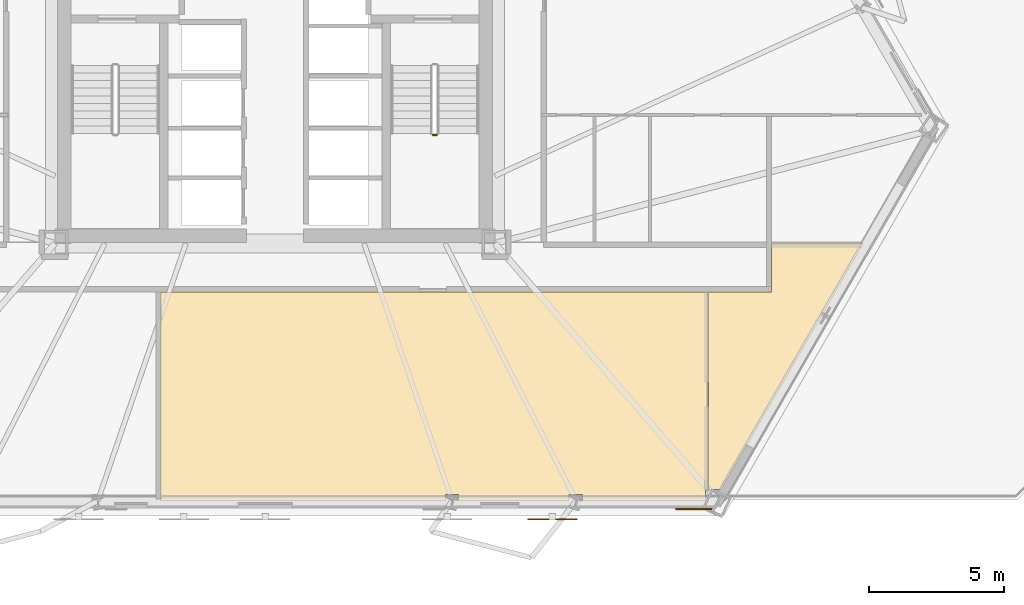
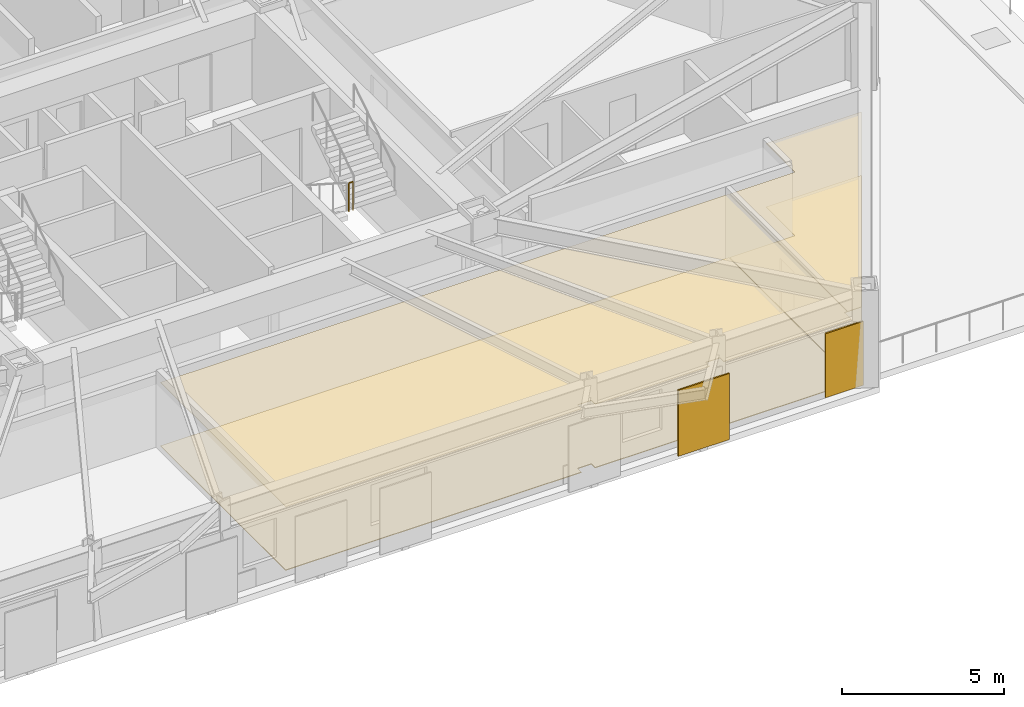
# One storey, part 11 of 14: 5 coverings, 1 railing, 1 shading device.
"""IFC4 building model written with IfcOpenShell, lengths in metres."""

from ifc_helpers import new_model, si_unit, direction, frame, origin, origin_2d, place, context, subcontext, project, spatial, polyline, rectangle, circle, outline, extrude, material, layer, layer_set, type_object, element, save


model = new_model("IFC4")

# Units and contexts
model_context = context("Model", 3, precision=1e-05, world=origin(), true_north=direction((0.0, 1.0)))
body_context = subcontext(model_context, "Body", "Model", "MODEL_VIEW")
ifc_project = project(units=[si_unit("LENGTHUNIT", "METRE"), si_unit("AREAUNIT", "SQUARE_METRE"), si_unit("VOLUMEUNIT", "CUBIC_METRE"), si_unit("PLANEANGLEUNIT", "RADIAN"), si_unit("MASSUNIT", "GRAM", prefix="KILO")], contexts=[model_context])

# Site, building, storey
site_placement = place(None, origin())
site = spatial("IfcSite", under=ifc_project, at=site_placement, CompositionType="ELEMENT")
building_placement = place(site_placement, origin())
building = spatial("IfcBuilding", under=site, at=building_placement, Name="Oramaril Tower", CompositionType="ELEMENT")
storey_placement = place(building_placement, frame((0.0, 0.0, 27.300048828125)))
storey = spatial("IfcBuildingStorey", under=building, at=storey_placement, Name="L06", CompositionType="ELEMENT", Elevation=27.300048828125)

# Coverings
ifc_material_1 = material(Name="Mineral Fibre Acoustic Ceiling")
ifc_layer_1 = layer(ifc_material_1, 0.02001953125)
ifc_layer_set_1 = layer_set([ifc_layer_1], Name="CVT-CEIL")
covering_type_1 = type_object("IfcCoveringType", Name="CVT-CEIL", PredefinedType="CEILING", material=ifc_layer_set_1)
covering_1_placement = place(storey_placement, frame((0.0, 0.0, 2.39990234375)))
element("IfcCovering", 1, at=covering_1_placement, inside=storey, type_object=covering_type_1, Name="L06 Acoustic Suspended Ceiling 8", PredefinedType="CEILING", context=body_context, shape_type="SweptSolid", body=[
    extrude(outline(polyline([(53.442138671875, 1.8857421875), (53.442138671875, 1.468017578125), (48.8974609375, 1.468017578125), (48.8974609375, 1.70263671875), (48.38916015625, 1.70263671875), (48.38916015625, 1.468017578125), (44.302001953125, 1.468017578125), (44.302001953125, 1.70263671875), (43.807861328125, 1.70263671875), (43.807861328125, 1.468017578125), (33.261962890625, 1.468017578125), (33.261962890625, 9.199951171875), (53.5419921875, 9.199951171875), (53.5419921875, 1.8857421875), (53.442138671875, 1.8857421875)])), origin(), (0.0, 0.0, 1.0), 0.02001953125),
])
covering_2_placement = place(storey_placement, frame((0.0, 0.0, 2.39990234375)))
element("IfcCovering", 2, at=covering_2_placement, inside=storey, type_object=covering_type_1, Name="L06 Acoustic Suspended Ceiling 9", PredefinedType="CEILING", context=body_context, shape_type="SweptSolid", body=[
    extrude(outline(polyline([(59.29833984375, 10.991943359375), (54.041015625, 1.8857421875), (53.56201171875, 1.8857421875), (53.56201171875, 9.199951171875), (55.8798828125, 9.199951171875), (55.882080078125, 9.2001953125), (55.8837890625, 9.200439453125), (55.8857421875, 9.200927734375), (55.8876953125, 9.201416015625), (55.889404296875, 9.202392578125), (55.89111328125, 9.203369140625), (55.892578125, 9.20458984375), (55.89404296875, 9.205810546875), (55.8955078125, 9.207275390625), (55.896484375, 9.208984375), (55.897705078125, 9.210693359375), (55.8984375, 9.21240234375), (55.899169921875, 9.214111328125), (55.899658203125, 9.216064453125), (55.89990234375, 9.218017578125), (55.89990234375, 9.219970703125), (55.89990234375, 10.991943359375), (59.29833984375, 10.991943359375)])), origin(), (0.0, 0.0, 1.0), 0.02001953125),
])
ifc_material_2 = material(Name="Warm Cream Limestone", Category="masonry")
ifc_layer_2 = layer(ifc_material_2, 0.050048828125)
ifc_layer_set_2 = layer_set([ifc_layer_2], Name="CVT-CLD")
covering_type_2 = type_object("IfcCoveringType", Name="CVT-CLD", PredefinedType="CLADDING", material=ifc_layer_set_2)
covering_3_placement = place(storey_placement, frame((53.01220703125, 1.1669921875, 0.0400390625), z_axis=(0.0, 0.0, 1.0), x_axis=(1.0, 0.0, 0.0)))
element("IfcCovering", 3, at=covering_3_placement, inside=storey, type_object=covering_type_2, Name="L06 Warm Cream Limestone Cladding", PredefinedType="CLADDING", context=body_context, shape_type="SweptSolid", body=[
    extrude(rectangle(XDim=1.35009765625, YDim=0.050048828125, at=origin_2d()), origin(), (0.0, 0.0, 1.0), 2.4140625),
])
ifc_material_3 = material(Name="Honed Quartzite Stone Flooring", Category="masonry")
ifc_layer_3 = layer(ifc_material_3, 0.02490234375)
ifc_layer_set_3 = layer_set([ifc_layer_3], Name="CVT-FLR")
covering_type_3 = type_object("IfcCoveringType", Name="CVT-FLR", PredefinedType="FLOORING", material=ifc_layer_set_3)
covering_4_placement = place(storey_placement, origin())
element("IfcCovering", 4, at=covering_4_placement, inside=storey, type_object=covering_type_3, Name="L06 Honed Stone Floor Finish 8", PredefinedType="FLOORING", context=body_context, shape_type="SweptSolid", body=[
    extrude(outline(polyline([(53.442138671875, 1.8857421875), (53.442138671875, 1.468017578125), (48.8974609375, 1.468017578125), (48.8974609375, 1.70263671875), (48.38916015625, 1.70263671875), (48.38916015625, 1.468017578125), (44.302001953125, 1.468017578125), (44.302001953125, 1.70263671875), (43.807861328125, 1.70263671875), (43.807861328125, 1.468017578125), (33.261962890625, 1.468017578125), (33.261962890625, 9.199951171875), (53.5419921875, 9.199951171875), (53.5419921875, 1.8857421875), (53.442138671875, 1.8857421875)])), origin(), (0.0, 0.0, 1.0), 0.02490234375),
])
covering_5_placement = place(storey_placement, origin())
element("IfcCovering", 5, at=covering_5_placement, inside=storey, type_object=covering_type_3, Name="L06 Honed Stone Floor Finish 9", PredefinedType="FLOORING", context=body_context, shape_type="SweptSolid", body=[
    extrude(outline(polyline([(59.29833984375, 10.991943359375), (54.041015625, 1.8857421875), (53.56201171875, 1.8857421875), (53.56201171875, 9.199951171875), (55.8798828125, 9.199951171875), (55.882080078125, 9.2001953125), (55.8837890625, 9.200439453125), (55.8857421875, 9.200927734375), (55.8876953125, 9.201416015625), (55.889404296875, 9.202392578125), (55.89111328125, 9.203369140625), (55.892578125, 9.20458984375), (55.89404296875, 9.205810546875), (55.8955078125, 9.207275390625), (55.896484375, 9.208984375), (55.897705078125, 9.210693359375), (55.8984375, 9.21240234375), (55.899169921875, 9.214111328125), (55.899658203125, 9.216064453125), (55.89990234375, 9.218017578125), (55.89990234375, 9.219970703125), (55.89990234375, 10.991943359375), (59.29833984375, 10.991943359375)])), origin(), (0.0, 0.0, 1.0), 0.02490234375),
])

# Railing
ifc_material_4 = material(Name="Stainless Steel 316L", Category="steel")
railing_type = type_object("IfcRailingType", Name="RLT-GRD", PredefinedType="GUARDRAIL", material=ifc_material_4)
railing_placement = place(storey_placement, frame((43.340087890625, 15.02001953125, 1.800048828125)))
element("IfcRailing", 6, at=railing_placement, inside=storey, type_object=railing_type, Name="L06 ST-2 stair guard 2", PredefinedType="GUARDRAIL", context=body_context, shape_type="SweptSolid", body=[
    extrude(circle(Radius=0.02392578125, at=origin_2d()), frame((0.0, 0.0, 1.076171875), z_axis=(1.0, 0.0, 0.0), x_axis=(0.0, 1.0, 0.0)), (0.0, 0.0, 1.0), 0.14990234375),
    extrude(circle(Radius=0.02099609375, at=origin_2d()), origin(), (0.0, 0.0, 1.0), 1.052001953125),
    extrude(circle(Radius=0.02099609375, at=origin_2d()), frame((0.14990234375, 0.0, 0.0)), (0.0, 0.0, 1.0), 1.052001953125),
])

# Shading device
shading_device_placement = place(storey_placement, frame((47.775390625, 0.780029296875, -0.02001953125), z_axis=(0.0, 0.0, 1.0), x_axis=(1.0, 0.0, 0.0)))
element("IfcShadingDevice", 7, at=shading_device_placement, inside=storey, Name="L06 Perforated Ceramic Solar Screen", ObjectType="SCREEN", PredefinedType="USERDEFINED", context=body_context, shape_type="SweptSolid", body=[
    extrude(rectangle(XDim=1.8330078125, YDim=0.050048828125, at=origin_2d()), origin(), (0.0, 0.0, 1.0), 2.493896484375),
])

save(model, "model.ifc")
